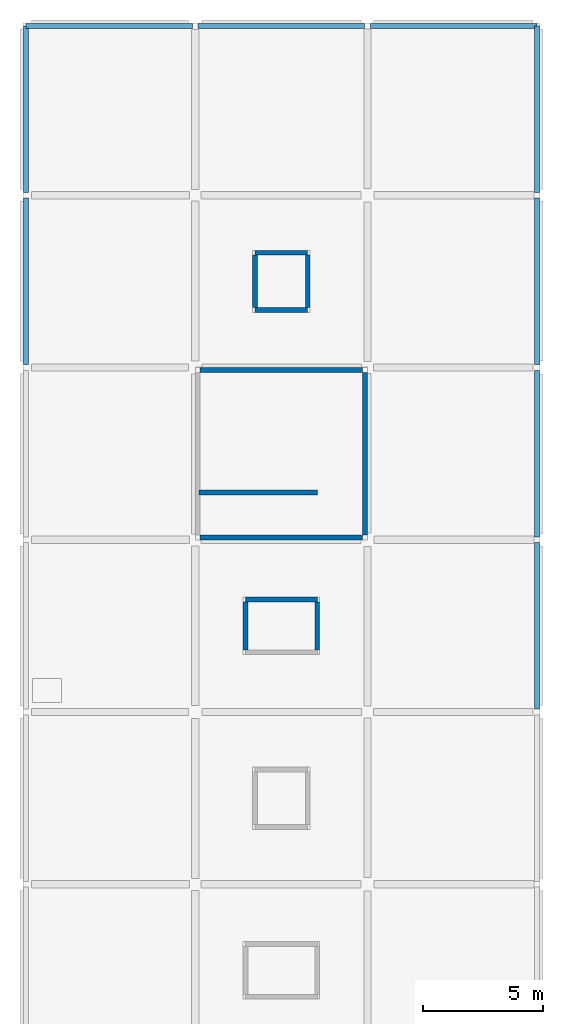
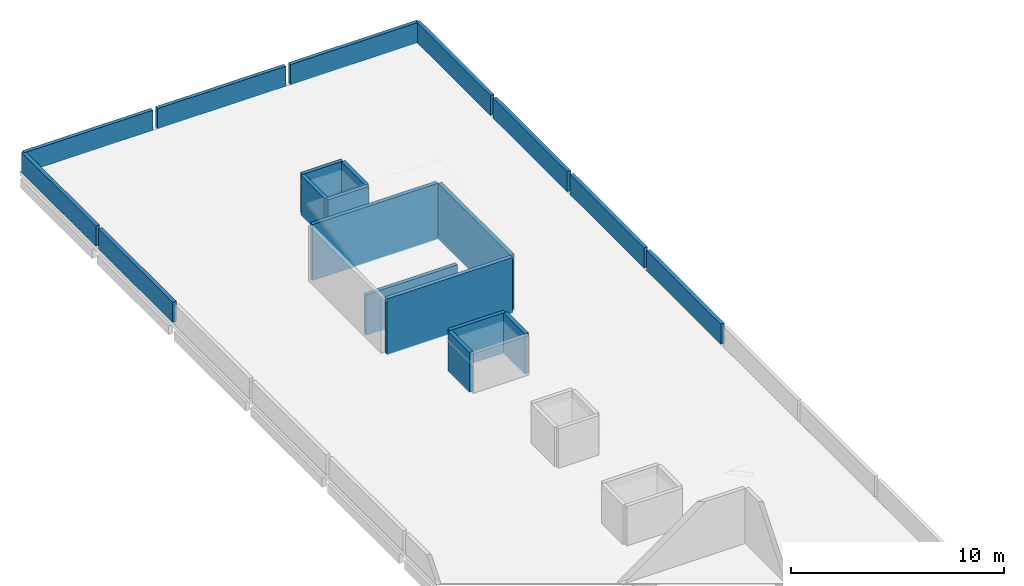
# One storey, part 2 of 3: 20 walls.
"""IFC4 building model written with IfcOpenShell, lengths in metres."""

from ifc_helpers import new_model, si_unit, direction, frame, frame_2d, origin, place, context, subcontext, project, spatial, rectangle, extrude, material, layer, layer_set, type_object, element, save


model = new_model("IFC4")

# Units and contexts
model_context = context("Model", 3, precision=1e-05, world=origin(), true_north=direction((0.0, 1.0)))
body_context = subcontext(model_context, "Body", "Model", "MODEL_VIEW")
ifc_project = project(units=[si_unit("LENGTHUNIT", "METRE"), si_unit("AREAUNIT", "SQUARE_METRE"), si_unit("VOLUMEUNIT", "CUBIC_METRE"), si_unit("PLANEANGLEUNIT", "RADIAN"), si_unit("MASSUNIT", "GRAM", prefix="KILO")], contexts=[model_context])

# Site, building, storey
site_placement = place(None, origin())
site = spatial("IfcSite", under=ifc_project, at=site_placement, CompositionType="ELEMENT")
building_placement = place(site_placement, origin())
building = spatial("IfcBuilding", under=site, at=building_placement, Name="Kangsadwip Square Police Headquarters", CompositionType="ELEMENT")
storey_placement = place(building_placement, frame((0.0, 0.0, 33.75)))
storey = spatial("IfcBuildingStorey", under=building, at=storey_placement, Name="ROOF", CompositionType="ELEMENT", Elevation=33.75)

# Walls
ifc_material_1 = material(Name="Concrete M40 (40 MPa)", Category="concrete")
ifc_layer_1 = layer(ifc_material_1, 0.199951171875)
ifc_layer_set_1 = layer_set([ifc_layer_1], Name="Concrete M40 (40 MPa)")
wall_type_1 = type_object("IfcWallType", Name="CoreShearWall200", PredefinedType="SHEAR", material=ifc_layer_set_1)
for number, where, z_axis, x_axis, name in (
    (1, (7.39990234375, 72.10009765625, 0.0), (0.0, 0.0, 1.0), (1.0, 0.0, 0.0), "Interior Wall WI-ROOF-0085"),
    (2, (7.39990234375, 79.10009765625, 0.0), (0.0, 0.0, 1.0), (1.0, 0.0, 0.0), "Interior Wall WI-ROOF-0086"),
    (3, (14.300048828125, 72.199951171875, 0.0), (0.0, 0.0, 1.0), (0.0, 1.0, 0.0), "Interior Wall WI-ROOF-0088"),
):
    element("IfcWall", number, at=place(storey_placement, frame(where, z_axis=z_axis, x_axis=x_axis)), inside=storey, type_object=wall_type_1, Name=name, PredefinedType="SHEAR", context=body_context, shape_type="SweptSolid", body=[
        extrude(rectangle(XDim=6.800048828125, YDim=0.199951171875, at=frame_2d((3.39990234375, 0.0))), origin(), (0.0, 0.0, 1.0), 3.199951171875),
    ])
wall_1_placement = place(storey_placement, frame((7.35009765625, 73.97998046875, 0.0), z_axis=(0.0, 0.0, 1.0), x_axis=(1.0, 0.0, 0.0)))
element("IfcWall", 4, at=wall_1_placement, inside=storey, type_object=wall_type_1, Name="Interior Wall WI-ROOF-0230", PredefinedType="SHEAR", context=body_context, shape_type="SweptSolid", body=[
    extrude(rectangle(XDim=4.949951171875, YDim=0.199951171875, at=frame_2d((2.47509765625, 0.0))), origin(), (0.0, 0.0, 1.0), 2.300048828125),
])
wall_2_placement = place(storey_placement, frame((9.300048828125, 69.5, 0.0), z_axis=(0.0, 0.0, 1.0), x_axis=(1.0, 0.0, 0.0)))
element("IfcWall", 5, at=wall_2_placement, inside=storey, type_object=wall_type_1, Name="Interior Wall WI-ROOF-0308", PredefinedType="SHEAR", context=body_context, shape_type="SweptSolid", body=[
    extrude(rectangle(XDim=3.0, YDim=0.199951171875, at=frame_2d((1.5, 0.0))), origin(), (0.0, 0.0, 1.0), 2.300048828125),
])
for number, where, z_axis, x_axis, name in (
    (6, (9.300048828125, 67.39990234375, 0.0), (0.0, 0.0, 1.0), (0.0, 1.0, 0.0), "Interior Wall WI-ROOF-0309"),
    (7, (12.300048828125, 67.39990234375, 0.0), (0.0, 0.0, 1.0), (0.0, 1.0, 0.0), "Interior Wall WI-ROOF-0310"),
):
    element("IfcWall", number, at=place(storey_placement, frame(where, z_axis=z_axis, x_axis=x_axis)), inside=storey, type_object=wall_type_1, Name=name, PredefinedType="SHEAR", context=body_context, shape_type="SweptSolid", body=[
        extrude(rectangle(XDim=2.0, YDim=0.199951171875, at=frame_2d((1.0, 0.0))), origin(), (0.0, 0.0, 1.0), 2.300048828125),
    ])
for number, where, z_axis, x_axis, name in (
    (8, (9.699951171875, 81.60009765625, 0.0), (0.0, 0.0, 1.0), (1.0, 0.0, 0.0), "Interior Wall WI-ROOF-0423"),
    (9, (9.699951171875, 84.0, 0.0), (0.0, 0.0, 1.0), (1.0, 0.0, 0.0), "Interior Wall WI-ROOF-0424"),
    (10, (9.699951171875, 81.699951171875, 0.0), (0.0, 0.0, 1.0), (0.0, 1.0, 0.0), "Interior Wall WI-ROOF-0425"),
    (11, (11.89990234375, 81.699951171875, 0.0), (0.0, 0.0, 1.0), (0.0, 1.0, 0.0), "Interior Wall WI-ROOF-0426"),
):
    element("IfcWall", number, at=place(storey_placement, frame(where, z_axis=z_axis, x_axis=x_axis)), inside=storey, type_object=wall_type_1, Name=name, PredefinedType="SHEAR", context=body_context, shape_type="SweptSolid", body=[
        extrude(rectangle(XDim=2.199951171875, YDim=0.199951171875, at=frame_2d((1.10009765625, 0.0))), origin(), (0.0, 0.0, 1.0), 2.300048828125),
    ])
ifc_material_2 = material(Name="Concrete M35 (35 MPa)", Category="concrete")
ifc_layer_2 = layer(ifc_material_2, 0.199951171875)
ifc_layer_set_2 = layer_set([ifc_layer_2], Name="Concrete M35 (35 MPa)")
wall_type_2 = type_object("IfcWallType", Name="RoofParapetWall200", PredefinedType="PARAPET", material=ifc_layer_set_2)
for number, where, z_axis, x_axis, name in (
    (12, (0.1201171875, 93.47998046875, 0.0), (0.0, 0.0, 1.0), (1.0, 0.0, 0.0), "Exterior Wall WE-ROOF-672"),
    (13, (7.320068359375, 93.47998046875, 0.0), (0.0, 0.0, 1.0), (1.0, 0.0, 0.0), "Exterior Wall WE-ROOF-674"),
    (14, (14.52001953125, 93.47998046875, 0.0), (0.0, 0.0, 1.0), (1.0, 0.0, 0.0), "Exterior Wall WE-ROOF-676"),
    (15, (21.47998046875, 64.919921875, 0.0), (0.0, 0.0, 1.0), (0.0, 1.0, 0.0), "Exterior Wall WE-ROOF-686"),
    (16, (21.47998046875, 72.1201171875, 0.0), (0.0, 0.0, 1.0), (0.0, 1.0, 0.0), "Exterior Wall WE-ROOF-688"),
    (17, (21.47998046875, 79.320068359375, 0.0), (0.0, 0.0, 1.0), (0.0, 1.0, 0.0), "Exterior Wall WE-ROOF-690"),
    (18, (0.1201171875, 79.320068359375, 0.0), (0.0, 0.0, 1.0), (0.0, 1.0, 0.0), "Exterior Wall WE-ROOF-691"),
    (19, (21.47998046875, 86.52001953125, 0.0), (0.0, 0.0, 1.0), (0.0, 1.0, 0.0), "Exterior Wall WE-ROOF-692"),
    (20, (0.1201171875, 86.52001953125, 0.0), (0.0, 0.0, 1.0), (0.0, 1.0, 0.0), "Exterior Wall WE-ROOF-693"),
):
    element("IfcWall", number, at=place(storey_placement, frame(where, z_axis=z_axis, x_axis=x_axis)), inside=storey, type_object=wall_type_2, Name=name, PredefinedType="PARAPET", context=body_context, shape_type="SweptSolid", body=[
        extrude(rectangle(XDim=6.9599609375, YDim=0.199951171875, at=frame_2d((3.47998046875, 0.0))), origin(), (0.0, 0.0, 1.0), 1.14990234375),
    ])

save(model, "model.ifc")
